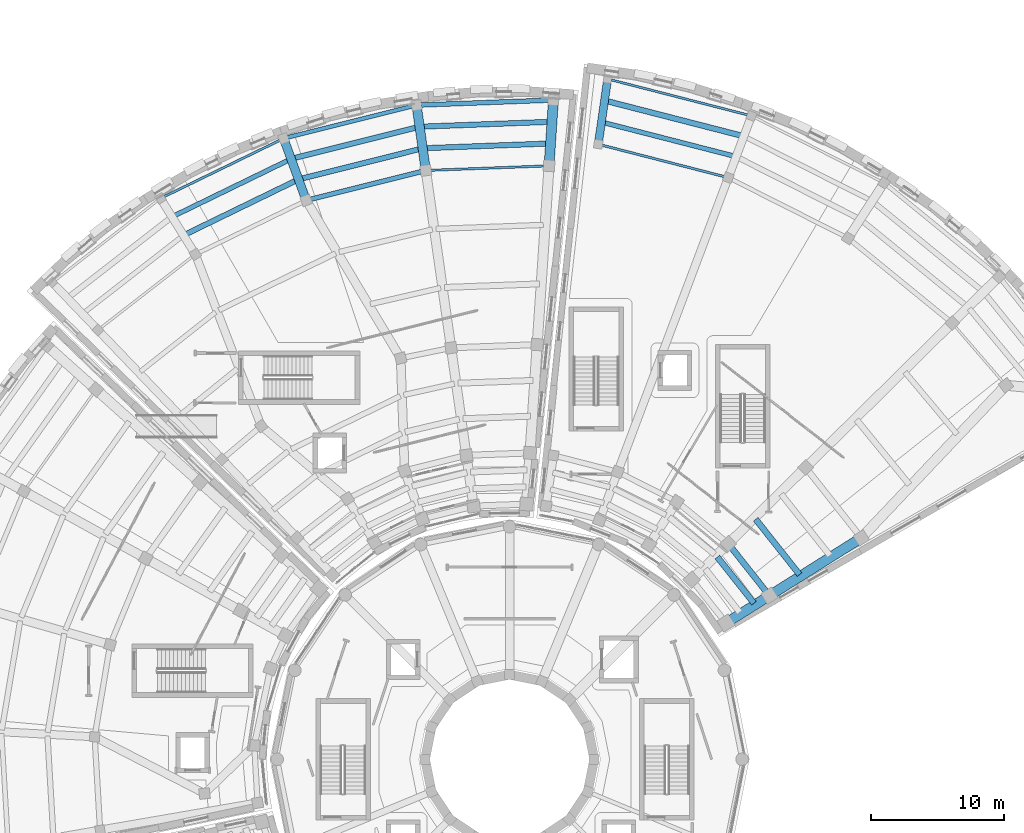
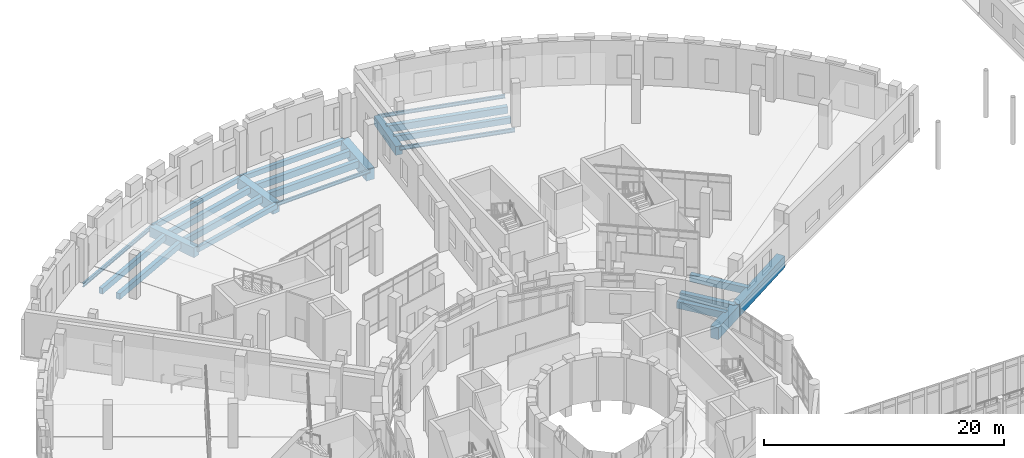
# One storey, part 34 of 89: 24 beams.
"""IFC4 building model written with IfcOpenShell, lengths in metres."""

from ifc_helpers import new_model, si_unit, direction, frame, origin, origin_2d, place, context, subcontext, project, spatial, rectangle, i_section, extrude, material, material_profile, profile_set, type_object, element, save


model = new_model("IFC4")

# Units and contexts
model_context = context("Model", 3, precision=1e-05, world=origin(), true_north=direction((0.0, 1.0)))
body_context = subcontext(model_context, "Body", "Model", "MODEL_VIEW")
ifc_project = project(units=[si_unit("LENGTHUNIT", "METRE"), si_unit("AREAUNIT", "SQUARE_METRE"), si_unit("VOLUMEUNIT", "CUBIC_METRE"), si_unit("PLANEANGLEUNIT", "RADIAN"), si_unit("MASSUNIT", "GRAM", prefix="KILO")], contexts=[model_context])

# Site, building, storey
site_placement = place(None, origin())
site = spatial("IfcSite", under=ifc_project, at=site_placement, CompositionType="ELEMENT")
building_placement = place(site_placement, origin())
building = spatial("IfcBuilding", under=site, at=building_placement, Name="Soyqirgoq Riverine Aquarium", CompositionType="ELEMENT")
storey_placement = place(building_placement, frame((0.0, 0.0, 5.39990234375)))
storey = spatial("IfcBuildingStorey", under=building, at=storey_placement, Name="L02", CompositionType="ELEMENT", Elevation=5.39990234375)

# Beams
ifc_material_1 = material(Name="Concrete C40/50", Category="concrete")
ifc_material_profile_1 = material_profile(ifc_material_1, rectangle(XDim=0.35009765625, YDim=0.60009765625, at=origin_2d()), Name="RC 350x600")
ifc_profile_set_1 = profile_set([ifc_material_profile_1], Name="Concrete C40/50")
beam_type_1 = type_object("IfcBeamType", Name="Beam_RC_350x600", PredefinedType="JOIST", material=ifc_profile_set_1)
beam_1_placement = place(storey_placement, frame((39.468505859375, 102.012451171875, -0.599853515625), z_axis=(-0.899175454325, -0.43758827948, 0.0), x_axis=(0.43758827948, -0.899175454325, 0.0)))
element("IfcBeam", 1, at=beam_1_placement, inside=storey, type_object=beam_type_1, Name="V4 L02 Secondary Floor Joist 0599", PredefinedType="JOIST", context=body_context, shape_type="SweptSolid", body=[
    extrude(rectangle(XDim=0.35009765625, YDim=0.60009765625, at=origin_2d()), origin(), (0.0, 0.0, 1.0), 9.664306640625),
])
beam_2_placement = place(storey_placement, frame((72.869873046875, 102.27734375, -0.599853515625), z_axis=(-0.968577827691, 0.24871065861, 0.0), x_axis=(-0.24871065861, -0.968577827691, 0.0)))
element("IfcBeam", 2, at=beam_2_placement, inside=storey, type_object=beam_type_1, Name="V5 L02 Secondary Floor Joist 0844", PredefinedType="JOIST", context=body_context, shape_type="SweptSolid", body=[
    extrude(rectangle(XDim=0.35009765625, YDim=0.60009765625, at=origin_2d()), origin(), (0.0, 0.0, 1.0), 10.159912109375),
])
ifc_material_2 = material(Name="Concrete C40/50", Category="concrete")
ifc_material_profile_2 = material_profile(ifc_material_2, rectangle(XDim=0.39990234375, YDim=0.60009765625, at=origin_2d()), Name="RC 400x600")
ifc_profile_set_2 = profile_set([ifc_material_profile_2], Name="Concrete C40/50")
beam_type_2 = type_object("IfcBeamType", Name="Beam_RC_400x600", PredefinedType="JOIST", material=ifc_profile_set_2)
beam_3_placement = place(storey_placement, frame((49.105712890625, 104.4541015625, -0.599853515625), z_axis=(-0.970086007326, -0.242761484569, 0.0), x_axis=(0.242761484569, -0.970086007326, 0.0)))
element("IfcBeam", 3, at=beam_3_placement, inside=storey, type_object=beam_type_2, Name="V4 L02 Secondary Floor Joist 0597", PredefinedType="JOIST", context=body_context, shape_type="SweptSolid", body=[
    extrude(rectangle(XDim=0.39990234375, YDim=0.60009765625, at=origin_2d()), origin(), (0.0, 0.0, 1.0), 9.66455078125),
])
beam_4_placement = place(storey_placement, frame((40.02734375, 100.4775390625, -0.599853515625), z_axis=(-0.899181920875, -0.437574991482, 0.0), x_axis=(0.437574991482, -0.899181920875, 0.0)))
element("IfcBeam", 4, at=beam_4_placement, inside=storey, type_object=beam_type_2, Name="V4 L02 Secondary Floor Joist 0598", PredefinedType="JOIST", context=body_context, shape_type="SweptSolid", body=[
    extrude(rectangle(XDim=0.39990234375, YDim=0.60009765625, at=origin_2d()), origin(), (0.0, 0.0, 1.0), 9.325927734375),
])
ifc_material_3 = material(Name="Concrete C40/50", Category="concrete")
ifc_material_profile_3 = material_profile(ifc_material_3, rectangle(XDim=0.39990234375, YDim=0.64990234375, at=origin_2d()), Name="RC 400x650")
ifc_profile_set_3 = profile_set([ifc_material_profile_3], Name="Concrete C40/50")
beam_type_3 = type_object("IfcBeamType", Name="Beam_RC_400x650", PredefinedType="BEAM", material=ifc_profile_set_3)
beam_5_placement = place(storey_placement, frame((59.0390625, 104.855712890625, -0.625), z_axis=(-0.999297071666, -0.037488165589, 0.0), x_axis=(0.037488165589, -0.999297071666, 0.0)))
element("IfcBeam", 5, at=beam_5_placement, inside=storey, type_object=beam_type_3, Name="V4 L02 Secondary Floor Joist 0595", PredefinedType="BEAM", context=body_context, shape_type="SweptSolid", body=[
    extrude(rectangle(XDim=0.39990234375, YDim=0.64990234375, at=origin_2d()), origin(), (0.0, 0.0, 1.0), 9.66455078125),
])
beam_6_placement = place(storey_placement, frame((49.335693359375, 102.8369140625, -0.625), z_axis=(-0.970079328611, -0.242788171462, 0.0), x_axis=(0.242788171462, -0.970079328611, 0.0)))
element("IfcBeam", 6, at=beam_6_placement, inside=storey, type_object=beam_type_3, Name="V4 L02 Secondary Floor Joist 0596", PredefinedType="BEAM", context=body_context, shape_type="SweptSolid", body=[
    extrude(rectangle(XDim=0.39990234375, YDim=0.64990234375, at=origin_2d()), origin(), (0.0, 0.0, 1.0), 9.32568359375),
])
ifc_material_4 = material(Name="Concrete C40/50", Category="concrete")
ifc_material_profile_4 = material_profile(ifc_material_4, rectangle(XDim=0.39990234375, YDim=0.699951171875, at=origin_2d()), Name="RC 400x700")
ifc_profile_set_4 = profile_set([ifc_material_profile_4], Name="Concrete C40/50")
beam_type_4 = type_object("IfcBeamType", Name="Beam_RC_400x700", PredefinedType="BEAM", material=ifc_profile_set_4)
beam_7_placement = place(storey_placement, frame((58.930908203125, 103.225830078125, -0.64990234375), z_axis=(-0.999297076426, -0.037488038705, 0.0), x_axis=(0.037488038705, -0.999297076426, 0.0)))
element("IfcBeam", 7, at=beam_7_placement, inside=storey, type_object=beam_type_4, Name="V4 L02 Secondary Floor Joist 0594", PredefinedType="BEAM", context=body_context, shape_type="SweptSolid", body=[
    extrude(rectangle(XDim=0.39990234375, YDim=0.699951171875, at=origin_2d()), origin(), (0.0, 0.0, 1.0), 9.325927734375),
])
ifc_material_5 = material(Name="Concrete C40/50", Category="concrete")
ifc_material_profile_5 = material_profile(ifc_material_5, rectangle(XDim=0.419921875, YDim=0.679931640625, at=origin_2d()), Name="RC 420x680")
ifc_profile_set_5 = profile_set([ifc_material_profile_5], Name="Concrete C40/50")
beam_type_5 = type_object("IfcBeamType", Name="Beam_RC_420x680", PredefinedType="BEAM", material=ifc_profile_set_5)
beam_8_placement = place(storey_placement, frame((73.444580078125, 103.806396484375, -0.639892578125), z_axis=(-0.968580573977, 0.248699963237, 0.0), x_axis=(-0.248699963237, -0.968580573977, 0.0)))
element("IfcBeam", 8, at=beam_8_placement, inside=storey, type_object=beam_type_5, Name="V5 L02 Secondary Floor Joist 0845", PredefinedType="BEAM", context=body_context, shape_type="SweptSolid", body=[
    extrude(rectangle(XDim=0.419921875, YDim=0.679931640625, at=origin_2d()), origin(), (0.0, 0.0, 1.0), 10.5126953125),
])
ifc_material_6 = material(Name="Concrete C40/50", Category="concrete")
ifc_material_profile_6 = material_profile(ifc_material_6, rectangle(XDim=0.449951171875, YDim=0.699951171875, at=origin_2d()), Name="RC 450x700")
ifc_profile_set_6 = profile_set([ifc_material_profile_6], Name="Concrete C40/50")
beam_type_6 = type_object("IfcBeamType", Name="Beam_RC_450x700", PredefinedType="BEAM", material=ifc_profile_set_6)
beam_9_placement = place(storey_placement, frame((74.3427734375, 68.715576171875, -0.64990234375), z_axis=(-0.621169249928, 0.783676440213, 0.0), x_axis=(-0.783676440213, -0.621169249928, 0.0)))
element("IfcBeam", 9, at=beam_9_placement, inside=storey, type_object=beam_type_6, Name="V5 L02 Secondary Floor Joist 0818", PredefinedType="BEAM", context=body_context, shape_type="SweptSolid", body=[
    extrude(rectangle(XDim=0.449951171875, YDim=0.699951171875, at=origin_2d()), origin(), (0.0, 0.0, 1.0), 4.42431640625),
])
beam_10_placement = place(storey_placement, frame((75.4736328125, 69.322021484375, -0.64990234375), z_axis=(-0.62112455544, 0.783711864546, 0.0), x_axis=(-0.783711864546, -0.62112455544, 0.0)))
element("IfcBeam", 10, at=beam_10_placement, inside=storey, type_object=beam_type_6, Name="V5 L02 Wedge Chord Beam 0825", PredefinedType="BEAM", context=body_context, shape_type="SweptSolid", body=[
    extrude(rectangle(XDim=0.449951171875, YDim=0.699951171875, at=origin_2d()), origin(), (0.0, 0.0, 1.0), 4.878662109375),
])
beam_11_placement = place(storey_placement, frame((77.7626953125, 70.869140625, -0.64990234375), z_axis=(-0.621170302236, 0.783675606115, 0.0), x_axis=(-0.783675606115, -0.621170302236, 0.0)))
element("IfcBeam", 11, at=beam_11_placement, inside=storey, type_object=beam_type_6, Name="V5 L02 Secondary Floor Joist 0829", PredefinedType="BEAM", context=body_context, shape_type="SweptSolid", body=[
    extrude(rectangle(XDim=0.449951171875, YDim=0.699951171875, at=origin_2d()), origin(), (0.0, 0.0, 1.0), 5.29736328125),
])
ifc_material_7 = material(Name="Concrete C40/50", Category="concrete")
ifc_material_profile_7 = material_profile(ifc_material_7, rectangle(XDim=0.60009765625, YDim=0.89990234375, at=origin_2d()), Name="RC 600x900")
ifc_profile_set_7 = profile_set([ifc_material_profile_7], Name="Concrete C40/50")
beam_type_7 = type_object("IfcBeamType", Name="Girder_RC_600x900", PredefinedType="BEAM", material=ifc_profile_set_7)
beam_12_placement = place(storey_placement, frame((62.66064453125, 103.22265625, -0.75), z_axis=(0.142661605839, 0.989771522231, 0.0), x_axis=(-0.989771522231, 0.142661605839, 0.0)))
element("IfcBeam", 12, at=beam_12_placement, inside=storey, type_object=beam_type_7, Name="V5 L02 Wedge Radial Girder 0812", PredefinedType="BEAM", context=body_context, shape_type="SweptSolid", body=[
    extrude(rectangle(XDim=0.60009765625, YDim=0.89990234375, at=origin_2d()), origin(), (0.0, 0.0, 1.0), 4.849853515625),
])
ifc_material_8 = material(Name="Concrete C40/50", Category="concrete")
ifc_material_profile_8 = material_profile(ifc_material_8, rectangle(XDim=0.64990234375, YDim=1.0, at=origin_2d()), Name="RC 650x1000")
ifc_profile_set_8 = profile_set([ifc_material_profile_8], Name="Concrete C40/50")
beam_type_8 = type_object("IfcBeamType", Name="Girder_RC_650x1000", PredefinedType="BEAM", material=ifc_profile_set_8)
beam_13_placement = place(storey_placement, frame((40.711669921875, 99.00439453125, -0.7998046875), z_axis=(-0.342009814461, 0.939696380121, 0.0), x_axis=(-0.939696380121, -0.342009814461, 0.0)))
element("IfcBeam", 13, at=beam_13_placement, inside=storey, type_object=beam_type_8, Name="V4 L02 Wedge Radial Girder 0547", PredefinedType="BEAM", context=body_context, shape_type="SweptSolid", body=[
    extrude(rectangle(XDim=0.64990234375, YDim=1.0, at=origin_2d()), origin(), (0.0, 0.0, 1.0), 4.849853515625),
])
ifc_material_9 = material(Name="Concrete C40/50", Category="concrete")
ifc_material_profile_9 = material_profile(ifc_material_9, rectangle(XDim=0.699951171875, YDim=1.10009765625, at=origin_2d()), Name="RC 700x1100")
ifc_profile_set_9 = profile_set([ifc_material_profile_9], Name="Concrete C40/50")
beam_type_9 = type_object("IfcBeamType", Name="Girder_RC_700x1100", PredefinedType="BEAM", material=ifc_profile_set_9)
beam_14_placement = place(storey_placement, frame((49.701904296875, 101.254150390625, -0.849853515625), z_axis=(-0.140949160463, 0.990016835294, 0.0), x_axis=(-0.990016835294, -0.140949160463, 0.0)))
element("IfcBeam", 14, at=beam_14_placement, inside=storey, type_object=beam_type_9, Name="V4 L02 Wedge Radial Girder 0543", PredefinedType="BEAM", context=body_context, shape_type="SweptSolid", body=[
    extrude(rectangle(XDim=0.699951171875, YDim=1.10009765625, at=origin_2d()), origin(), (0.0, 0.0, 1.0), 4.849853515625),
])
ifc_material_10 = material(Name="Concrete C40/50", Category="concrete")
ifc_material_profile_10 = material_profile(ifc_material_10, rectangle(XDim=0.75, YDim=1.199951171875, at=origin_2d()), Name="RC 750x1200")
ifc_profile_set_10 = profile_set([ifc_material_profile_10], Name="Concrete C40/50")
beam_type_10 = type_object("IfcBeamType", Name="Girder_RC_750x1200", PredefinedType="BEAM", material=ifc_profile_set_10)
beam_15_placement = place(storey_placement, frame((58.96240234375, 101.601806640625, -0.89990234375), z_axis=(0.066295160615, 0.997800055963, 0.0), x_axis=(-0.997800055963, 0.066295160615, 0.0)))
element("IfcBeam", 15, at=beam_15_placement, inside=storey, type_object=beam_type_10, Name="V4 L02 Wedge Radial Girder 0539", PredefinedType="BEAM", context=body_context, shape_type="SweptSolid", body=[
    extrude(rectangle(XDim=0.75, YDim=1.199951171875, at=origin_2d()), origin(), (0.0, 0.0, 1.0), 4.85009765625),
])
beam_16_placement = place(storey_placement, frame((72.289306640625, 67.2578125, -0.89990234375), z_axis=(0.846182823689, 0.53289269923, 0.0), x_axis=(-0.53289269923, 0.846182823689, 0.0)))
element("IfcBeam", 16, at=beam_16_placement, inside=storey, type_object=beam_type_10, Name="V5 L02 Wedge Radial Girder 0798", PredefinedType="BEAM", context=body_context, shape_type="SweptSolid", body=[
    extrude(rectangle(XDim=0.75, YDim=1.199951171875, at=origin_2d()), origin(), (0.0, 0.0, 1.0), 3.75),
])
beam_17_placement = place(storey_placement, frame((75.547119140625, 69.309326171875, -0.89990234375), z_axis=(0.846182190255, 0.532893705063, 0.0), x_axis=(-0.532893705063, 0.846182190255, 0.0)))
element("IfcBeam", 17, at=beam_17_placement, inside=storey, type_object=beam_type_10, Name="V5 L02 Wedge Radial Girder 0799", PredefinedType="BEAM", context=body_context, shape_type="SweptSolid", body=[
    extrude(rectangle(XDim=0.75, YDim=1.199951171875, at=origin_2d()), origin(), (0.0, 0.0, 1.0), 8.050048828125),
])
ifc_material_11 = material(Name="Concrete C40/50", Category="concrete")
ifc_material_profile_11 = material_profile(ifc_material_11, rectangle(XDim=0.300048828125, YDim=0.5, at=origin_2d()), Name="RC 300x500")
ifc_profile_set_11 = profile_set([ifc_material_profile_11], Name="Concrete C40/50")
beam_type_11 = type_object("IfcBeamType", Name="Spandrel_RC_300x500", PredefinedType="SPANDREL", material=ifc_profile_set_11)
beam_18_placement = place(storey_placement, frame((48.962890625, 106.093017578125, -0.5498046875), z_axis=(-0.970084651457, -0.242766902619, 0.0), x_axis=(0.242766902619, -0.970084651457, 0.0)))
element("IfcBeam", 18, at=beam_18_placement, inside=storey, type_object=beam_type_11, Name="V4 L02 Wedge Chord Beam 0603", PredefinedType="SPANDREL", context=body_context, shape_type="SweptSolid", body=[
    extrude(rectangle(XDim=0.300048828125, YDim=0.5, at=origin_2d()), origin(), (0.0, 0.0, 1.0), 10.183349609375),
])
ifc_material_12 = material(Name="Concrete C40/50", Category="concrete")
ifc_material_profile_12 = material_profile(ifc_material_12, rectangle(XDim=0.35009765625, YDim=0.5, at=origin_2d()), Name="RC 350x500")
ifc_profile_set_12 = profile_set([ifc_material_profile_12], Name="Concrete C40/50")
beam_type_12 = type_object("IfcBeamType", Name="Spandrel_RC_350x500", PredefinedType="SPANDREL", material=ifc_profile_set_12)
beam_19_placement = place(storey_placement, frame((49.660400390625, 101.1923828125, -0.5498046875), z_axis=(-0.970087583471, -0.242755186135, 0.0), x_axis=(0.242755186135, -0.970087583471, 0.0)))
element("IfcBeam", 19, at=beam_19_placement, inside=storey, type_object=beam_type_12, Name="V4 L02 Wedge Chord Beam 0591", PredefinedType="SPANDREL", context=body_context, shape_type="SweptSolid", body=[
    extrude(rectangle(XDim=0.35009765625, YDim=0.5, at=origin_2d()), origin(), (0.0, 0.0, 1.0), 9.156982421875),
])
beam_20_placement = place(storey_placement, frame((59.2373046875, 106.489013671875, -0.5498046875), z_axis=(-0.999296751316, -0.037496703991, 0.0), x_axis=(0.037496703991, -0.999296751316, 0.0)))
element("IfcBeam", 20, at=beam_20_placement, inside=storey, type_object=beam_type_12, Name="V4 L02 Wedge Chord Beam 0602", PredefinedType="SPANDREL", context=body_context, shape_type="SweptSolid", body=[
    extrude(rectangle(XDim=0.35009765625, YDim=0.5, at=origin_2d()), origin(), (0.0, 0.0, 1.0), 10.18310546875),
])
ifc_material_13 = material(Name="Structural steel S355", Category="steel")
ifc_material_profile_13 = material_profile(ifc_material_13, i_section(OverallWidth=0.169921875, OverallDepth=0.360107421875, WebThickness=0.008056640625, FlangeThickness=0.0126953125, FilletRadius=0.01806640625, at=origin_2d()), Name="IPE 360")
ifc_profile_set_13 = profile_set([ifc_material_profile_13], Name="Structural steel S355")
beam_type_13 = type_object("IfcBeamType", Name="Spandrel_Steel_IPE360", PredefinedType="SPANDREL", material=ifc_profile_set_13)
beam_21_placement = place(storey_placement, frame((58.9091796875, 101.5498046875, -0.47998046875), z_axis=(-0.999297116407, -0.037486972937, 0.0), x_axis=(0.037486972937, -0.999297116407, 0.0)))
element("IfcBeam", 21, at=beam_21_placement, inside=storey, type_object=beam_type_13, Name="V4 L02 Wedge Chord Beam 0590", PredefinedType="SPANDREL", context=body_context, shape_type="SweptSolid", body=[
    extrude(i_section(OverallWidth=0.169921875, OverallDepth=0.360107421875, WebThickness=0.008056640625, FlangeThickness=0.0126953125, FilletRadius=0.01806640625, at=origin_2d()), origin(), (0.0, 0.0, 1.0), 9.15673828125),
])
beam_22_placement = place(storey_placement, frame((74.106689453125, 105.31298828125, -0.47998046875), z_axis=(-0.968579543113, 0.248703977981, 0.0), x_axis=(-0.248703977981, -0.968579543113, 0.0)))
element("IfcBeam", 22, at=beam_22_placement, inside=storey, type_object=beam_type_13, Name="V5 L02 Wedge Chord Beam 0849", PredefinedType="SPANDREL", context=body_context, shape_type="SweptSolid", body=[
    extrude(i_section(OverallWidth=0.169921875, OverallDepth=0.360107421875, WebThickness=0.008056640625, FlangeThickness=0.0126953125, FilletRadius=0.01806640625, at=origin_2d()), origin(), (0.0, 0.0, 1.0), 11.045654296875),
])
ifc_material_14 = material(Name="Structural steel S355", Category="steel")
ifc_material_profile_14 = material_profile(ifc_material_14, i_section(OverallWidth=0.179931640625, OverallDepth=0.39990234375, WebThickness=0.008544921875, FlangeThickness=0.013427734375, FilletRadius=0.02099609375, at=origin_2d()), Name="IPE 400")
ifc_profile_set_14 = profile_set([ifc_material_profile_14], Name="Structural steel S355")
beam_type_14 = type_object("IfcBeamType", Name="Spandrel_Steel_IPE400", PredefinedType="SPANDREL", material=ifc_profile_set_14)
beam_23_placement = place(storey_placement, frame((38.99072265625, 103.5869140625, -0.5), z_axis=(-0.899170842723, -0.437597755476, 0.0), x_axis=(0.437597755476, -0.899170842723, 0.0)))
element("IfcBeam", 23, at=beam_23_placement, inside=storey, type_object=beam_type_14, Name="V4 L02 Wedge Chord Beam 0604", PredefinedType="SPANDREL", context=body_context, shape_type="SweptSolid", body=[
    extrude(i_section(OverallWidth=0.179931640625, OverallDepth=0.39990234375, WebThickness=0.008544921875, FlangeThickness=0.013427734375, FilletRadius=0.02099609375, at=origin_2d()), origin(), (0.0, 0.0, 1.0), 10.18310546875),
])
beam_24_placement = place(storey_placement, frame((72.364990234375, 100.6796875, -0.5), z_axis=(-0.968585617633, 0.248680319515, 0.0), x_axis=(-0.248680319515, -0.968585617633, 0.0)))
element("IfcBeam", 24, at=beam_24_placement, inside=storey, type_object=beam_type_14, Name="V5 L02 Wedge Chord Beam 0837", PredefinedType="SPANDREL", context=body_context, shape_type="SweptSolid", body=[
    extrude(i_section(OverallWidth=0.179931640625, OverallDepth=0.39990234375, WebThickness=0.008544921875, FlangeThickness=0.013427734375, FilletRadius=0.02099609375, at=origin_2d()), origin(), (0.0, 0.0, 1.0), 9.9765625),
])

save(model, "model.ifc")
